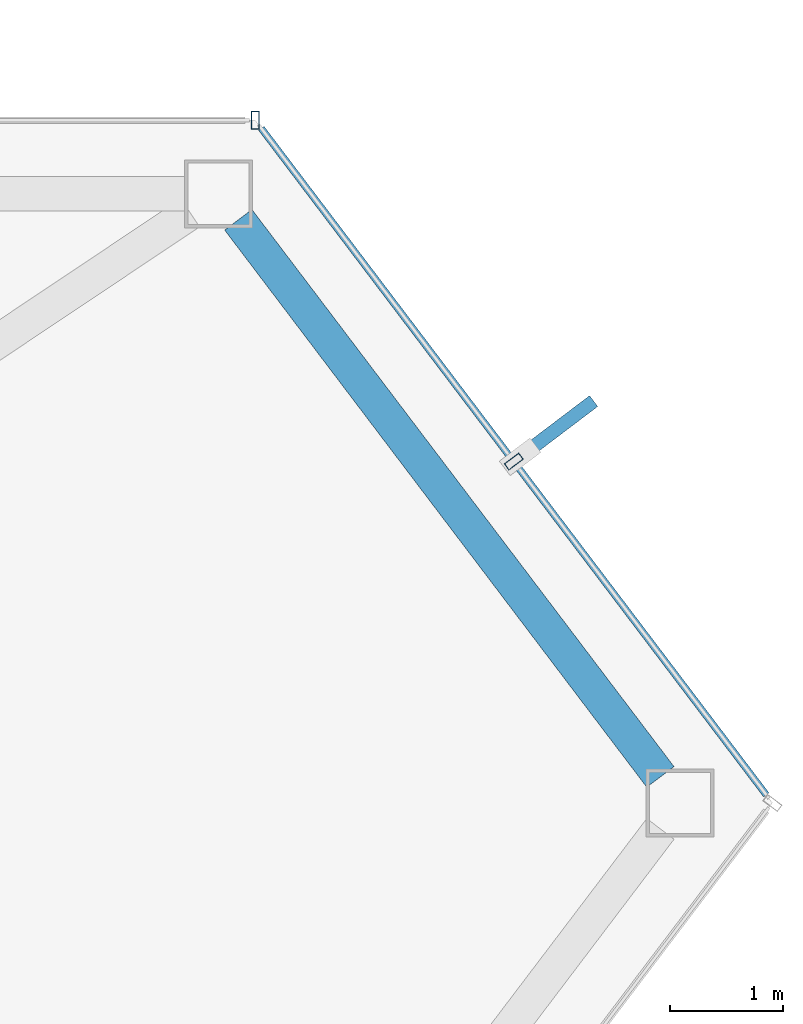
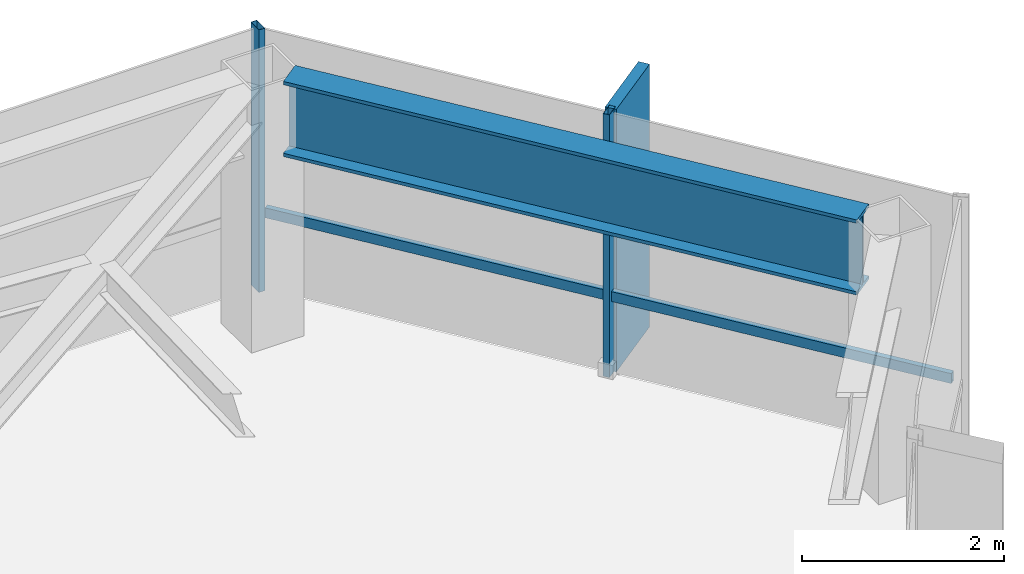
# One storey, part 20 of 25: 4 members, 1 beam, 2 elements without a shape of their own.
"""IFC4 building model written with IfcOpenShell, lengths in metres."""

from ifc_helpers import new_model, si_unit, direction, frame, origin, origin_2d, place, context, subcontext, project, spatial, rectangle, hollow_rectangle, i_section, extrude, material, layer, layer_set, material_profile, profile_set, type_object, element, aggregate, save


model = new_model("IFC4")

# Units and contexts
model_context = context("Model", 3, precision=1e-05, world=origin(), true_north=direction((0.0, 1.0)))
body_context = subcontext(model_context, "Body", "Model", "MODEL_VIEW")
ifc_project = project(units=[si_unit("LENGTHUNIT", "METRE"), si_unit("AREAUNIT", "SQUARE_METRE"), si_unit("VOLUMEUNIT", "CUBIC_METRE"), si_unit("PLANEANGLEUNIT", "RADIAN"), si_unit("MASSUNIT", "GRAM", prefix="KILO")], contexts=[model_context])

# Site, building, storey
site_placement = place(None, origin())
site = spatial("IfcSite", under=ifc_project, at=site_placement, CompositionType="ELEMENT")
building_placement = place(site_placement, origin())
building = spatial("IfcBuilding", under=site, at=building_placement, Name="Zarrinselat Tower", CompositionType="ELEMENT")
storey_placement = place(building_placement, frame((0.0, 0.0, 242.760009765625)))
storey = spatial("IfcBuildingStorey", under=building, at=storey_placement, Name="L61", CompositionType="ELEMENT", Elevation=242.760009765625)

# Beam
ifc_material_1 = material(Name="Steel S460M", Category="steel")
ifc_material_profile_1 = material_profile(ifc_material_1, i_section(OverallWidth=0.302001953125, OverallDepth=0.909912109375, WebThickness=0.02099609375, FlangeThickness=0.0400390625, at=origin_2d()), Name="HEM 900")
ifc_profile_set_1 = profile_set([ifc_material_profile_1], Name="Steel S460M")
beam_type = type_object("IfcBeamType", Name="BM-HEM900", PredefinedType="BEAM", material=ifc_profile_set_1)
beam_placement = place(storey_placement, frame((56.91943359375, 47.181396484375, 2.72509765625), z_axis=(0.603890426248, -0.79706734539, 0.0), x_axis=(0.79706734539, 0.603890426248, 0.0)))
element("IfcBeam", 1, at=beam_placement, inside=storey, type_object=beam_type, Name="L61 Perimeter Spandrel Girder SP15", PredefinedType="BEAM", context=body_context, shape_type="SweptSolid", body=[
    extrude(i_section(OverallWidth=0.302001953125, OverallDepth=0.909912109375, WebThickness=0.02099609375, FlangeThickness=0.0400390625, at=origin_2d()), origin(), (0.0, 0.0, 1.0), 6.173828125),
])

# Curtain wall, member
ifc_material_2 = material(Name="Extruded Aluminium Alloy EN AW-6063 T6", Category="aluminium")
ifc_layer = layer(ifc_material_2, 0.169921875)
ifc_layer_set = layer_set([ifc_layer], Name="Extruded Aluminium Alloy EN AW-6063 T6")
curtain_wall_type = type_object("IfcCurtainWallType", Name="CWS-RES", PredefinedType="NOTDEFINED", material=ifc_layer_set)
curtain_wall_1_placement = place(storey_placement, origin())
curtain_wall_1 = element("IfcCurtainWall", 2, at=curtain_wall_1_placement, inside=storey, type_object=curtain_wall_type, Name="L61 Unitised Curtain Wall CW-L61-E01", PredefinedType="NOTDEFINED")
ifc_material_3 = material(Name="Extruded Aluminium Alloy EN AW-6063 T6", Category="aluminium")
ifc_material_profile_2 = material_profile(ifc_material_3, hollow_rectangle(XDim=0.070068359375, YDim=0.159912109375, WallThickness=0.00390625, at=origin_2d()), Name="RHS 160x70x4")
ifc_profile_set_2 = profile_set([ifc_material_profile_2], Name="Extruded Aluminium Alloy EN AW-6063 T6")
member_type_1 = type_object("IfcMemberType", Name="MEM-CW-MUL2", PredefinedType="MULLION", material=ifc_profile_set_2)
member_1_placement = place(storey_placement, frame((57.068603515625, 48.06103515625, 0.0), z_axis=(0.0, 0.0, 1.0), x_axis=(-1.0, 0.0, 0.0)))
member_1 = element("IfcMember", 3, at=member_1_placement, type_object=member_type_1, Name="CW-L61-E01 Mullion 0", PredefinedType="MULLION", context=body_context, shape_type="SweptSolid", body=[
    extrude(hollow_rectangle(XDim=0.070068359375, YDim=0.159912109375, WallThickness=0.00390625, at=origin_2d()), origin(), (0.0, 0.0, 1.0), 3.179931640625),
])
aggregate(curtain_wall_1, [member_1])

# Curtain wall, members
curtain_wall_2_placement = place(storey_placement, origin())
curtain_wall_2 = element("IfcCurtainWall", 4, at=curtain_wall_2_placement, inside=storey, type_object=curtain_wall_type, Name="L61 Unitised Curtain Wall CW-L61-E06", PredefinedType="NOTDEFINED")
member_2_placement = place(storey_placement, frame((59.352783203125, 45.0458984375, 0.0), z_axis=(0.0, 0.0, 1.0), x_axis=(-0.603865322642, 0.797086364274, 0.0)))
member_2 = element("IfcMember", 5, at=member_2_placement, type_object=member_type_1, Name="CW-L61-E06 Mullion 1", PredefinedType="MULLION", context=body_context, shape_type="SweptSolid", body=[
    extrude(hollow_rectangle(XDim=0.070068359375, YDim=0.159912109375, WallThickness=0.00390625, at=origin_2d()), origin(), (0.0, 0.0, 1.0), 3.179931640625),
])
ifc_material_4 = material(Name="Extruded Aluminium Alloy EN AW-6063 T6", Category="aluminium")
ifc_material_profile_3 = material_profile(ifc_material_4, hollow_rectangle(XDim=0.06005859375, YDim=0.1201171875, WallThickness=0.00390625, at=origin_2d()), Name="RHS 120x60x4")
ifc_profile_set_3 = profile_set([ifc_material_profile_3], Name="Extruded Aluminium Alloy EN AW-6063 T6")
member_type_2 = type_object("IfcMemberType", Name="MEM-CW-TRN2", PredefinedType="USERDEFINED", material=ifc_profile_set_3)
member_3_placement = place(storey_placement, frame((61.582763671875, 42.1025390625, 0.949951171875), z_axis=(-0.603869780229, 0.797082987227, 0.0), x_axis=(-0.797082987227, -0.603869780229, 0.0)))
member_3 = element("IfcMember", 6, at=member_3_placement, type_object=member_type_2, Name="CW-L61-E06 Transom 1", ObjectType="TRANSOM", PredefinedType="USERDEFINED", context=body_context, shape_type="SweptSolid", body=[
    extrude(hollow_rectangle(XDim=0.06005859375, YDim=0.1201171875, WallThickness=0.00390625, at=origin_2d()), origin(), (0.0, 0.0, 1.0), 7.3857421875),
])
ifc_material_5 = material(Name="Honed Cream Travertine Stone", Category="masonry")
ifc_material_profile_4 = material_profile(ifc_material_5, rectangle(XDim=0.1201171875, YDim=0.85009765625, at=origin_2d()), Name="FIN 850x120")
ifc_profile_set_4 = profile_set([ifc_material_profile_4], Name="Honed Cream Travertine Stone")
member_type_3 = type_object("IfcMemberType", Name="MEM-STONE-FIN", PredefinedType="USERDEFINED", material=ifc_profile_set_4)
member_4_placement = place(storey_placement, frame((59.719482421875, 45.32373046875, 0.0), z_axis=(0.0, 0.0, 1.0), x_axis=(0.603865322642, -0.797086364274, 0.0)))
member_4 = element("IfcMember", 7, at=member_4_placement, type_object=member_type_3, Name="L61 Stone Shading Fin CW-L61-E06-01", ObjectType="FIN", PredefinedType="USERDEFINED", context=body_context, shape_type="SweptSolid", body=[
    extrude(rectangle(XDim=0.1201171875, YDim=0.85009765625, at=origin_2d()), origin(), (0.0, 0.0, 1.0), 3.179931640625),
])
aggregate(curtain_wall_2, [member_2, member_4, member_3])

save(model, "model.ifc")
